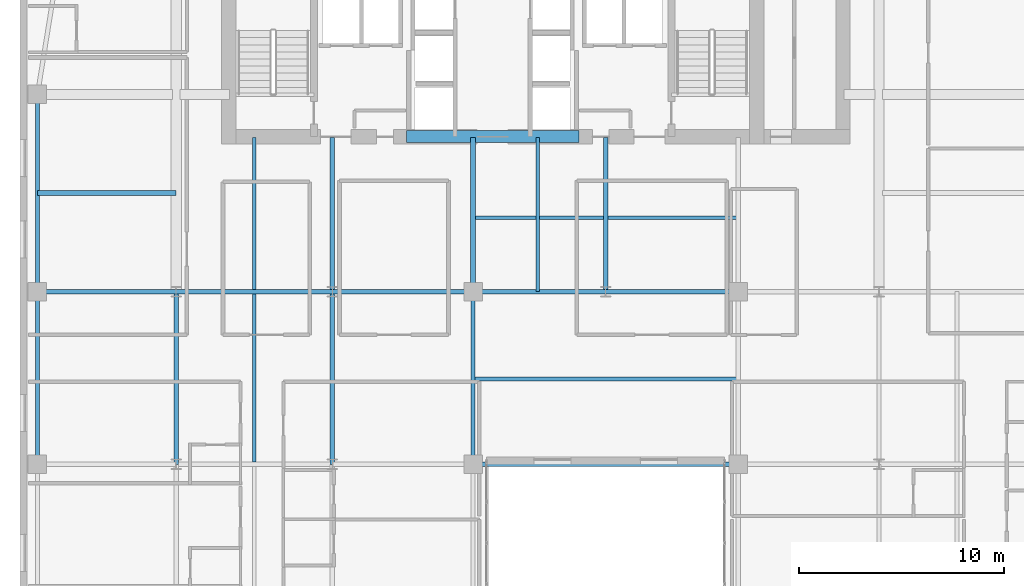
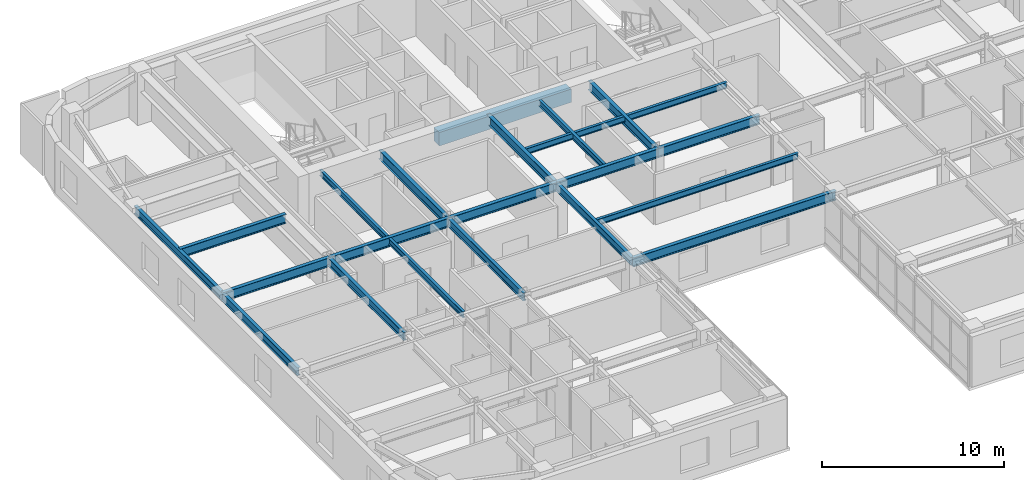
# One storey, part 4 of 17: 21 beams.
"""IFC4 building model written with IfcOpenShell, lengths in metres."""

from ifc_helpers import new_model, si_unit, direction, frame, origin, origin_2d, place, context, subcontext, project, spatial, rectangle, i_section, extrude, source, transform, mapped, material, material_profile, profile_set, type_object, type_shapes, element, save


model = new_model("IFC4")

# Units and contexts
model_context = context("Model", 3, precision=1e-05, world=origin(), true_north=direction((0.0, 1.0)))
body_context = subcontext(model_context, "Body", "Model", "MODEL_VIEW")
ifc_project = project(units=[si_unit("LENGTHUNIT", "METRE"), si_unit("AREAUNIT", "SQUARE_METRE"), si_unit("VOLUMEUNIT", "CUBIC_METRE"), si_unit("PLANEANGLEUNIT", "RADIAN"), si_unit("MASSUNIT", "GRAM", prefix="KILO")], contexts=[model_context])

# Site, building, storey
site_placement = place(None, origin())
site = spatial("IfcSite", under=ifc_project, at=site_placement, CompositionType="ELEMENT")
building_placement = place(site_placement, origin())
building = spatial("IfcBuilding", under=site, at=building_placement, Name="Tolvann Quenvar Hotel", CompositionType="ELEMENT")
storey_placement = place(building_placement, frame((0.0, 0.0, 136.39990234375)))
storey = spatial("IfcBuildingStorey", under=building, at=storey_placement, Name="L35", CompositionType="ELEMENT", Elevation=136.39990234375)

# Beams
ifc_material_1 = material(Name="Concrete N50 (50 MPa)", Category="concrete")
ifc_material_profile_1 = material_profile(ifc_material_1, rectangle(XDim=0.60009765625, YDim=0.89990234375, at=origin_2d()), Name="RC600x900")
ifc_profile_set_1 = profile_set([ifc_material_profile_1], Name="Concrete N50 (50 MPa)")
beam_type_1 = type_object("IfcBeamType", Name="BM_LINT_RC600x900", PredefinedType="LINTEL", material=ifc_profile_set_1)
shared_shape_1 = source(origin(), body_context, "Body", "SweptSolid", [
    extrude(rectangle(XDim=0.60009765625, YDim=0.89990234375, at=origin_2d()), origin(), (0.0, 0.0, 1.0), 8.39990234375),
])
type_shapes(beam_type_1, [shared_shape_1])
beam_1_placement = place(storey_placement, frame((18.800048828125, 31.949951171875, 2.920166015625), z_axis=(1.0, 0.0, 0.0), x_axis=(0.0, 1.0, 0.0)))
element("IfcBeam", 1, at=beam_1_placement, inside=storey, type_object=beam_type_1, Name="Core Coupling Lintel Beam (L35)", PredefinedType="LINTEL", context=body_context, shape_type="MappedRepresentation", body=[
    mapped(shared_shape_1, transform((0.0, 0.0, 0.0), x_axis=(1.0, 0.0, 0.0), y_axis=(0.0, 1.0, 0.0), z_axis=(0.0, 0.0, 1.0), scale=1.0)),
])
ifc_material_2 = material(Name="Steel Grade 350", Category="steel")
ifc_material_profile_2 = material_profile(ifc_material_2, i_section(OverallWidth=0.22900390625, OverallDepth=0.612060546875, WebThickness=0.011962890625, FlangeThickness=0.01953125, FilletRadius=0.013916015625, at=origin_2d()), Name="610UB125")
ifc_profile_set_2 = profile_set([ifc_material_profile_2], Name="Steel Grade 350")
beam_type_2 = type_object("IfcBeamType", Name="BM_GIRD_610UB125", PredefinedType="BEAM", material=ifc_profile_set_2)
shared_shape_2 = source(origin(), body_context, "Body", "SweptSolid", [
    extrude(i_section(OverallWidth=0.22900390625, OverallDepth=0.612060546875, WebThickness=0.011962890625, FlangeThickness=0.01953125, FilletRadius=0.013916015625, at=origin_2d()), origin(), (0.0, 0.0, 1.0), 6.75),
])
for number, where, z_axis, x_axis, name in (
    (2, (0.85009765625, 24.39990234375, 3.064208984375), (1.0, 0.0, 0.0), (0.0, 1.0, 0.0), "BM-L35-EW-5-B5-C5"),
    (3, (0.85009765625, 29.199951171875, 3.064208984375), (1.0, 0.0, 0.0), (0.0, 1.0, 0.0), "BM-L35-EW-BC29"),
):
    element("IfcBeam", number, at=place(storey_placement, frame(where, z_axis=z_axis, x_axis=x_axis)), inside=storey, type_object=beam_type_2, Name=name, PredefinedType="BEAM", context=body_context, shape_type="MappedRepresentation", body=[
        mapped(shared_shape_2, transform((0.0, 0.0, 0.0), x_axis=(1.0, 0.0, 0.0), y_axis=(0.0, 1.0, 0.0), z_axis=(0.0, 0.0, 1.0), scale=1.0)),
    ])
shared_shape_3 = source(origin(), body_context, "Body", "SweptSolid", [
    extrude(i_section(OverallWidth=0.22900390625, OverallDepth=0.612060546875, WebThickness=0.011962890625, FlangeThickness=0.01953125, FilletRadius=0.013916015625, at=origin_2d()), origin(), (0.0, 0.0, 1.0), 7.599853515625),
])
beam_2_placement = place(storey_placement, frame((7.60009765625, 24.39990234375, 3.064208984375), z_axis=(1.0, 0.0, 0.0), x_axis=(0.0, 1.0, 0.0)))
element("IfcBeam", 4, at=beam_2_placement, inside=storey, type_object=beam_type_2, Name="BM-L35-EW-5-C5-D5", PredefinedType="BEAM", context=body_context, shape_type="MappedRepresentation", body=[
    mapped(shared_shape_3, transform((0.0, 0.0, 0.0), x_axis=(1.0, 0.0, 0.0), y_axis=(0.0, 1.0, 0.0), z_axis=(0.0, 0.0, 1.0), scale=1.0)),
])
shared_shape_4 = source(origin(), body_context, "Body", "SweptSolid", [
    extrude(i_section(OverallWidth=0.22900390625, OverallDepth=0.612060546875, WebThickness=0.011962890625, FlangeThickness=0.01953125, FilletRadius=0.013916015625, at=origin_2d()), origin(), (0.0, 0.0, 1.0), 6.85009765625),
])
beam_3_placement = place(storey_placement, frame((15.199951171875, 24.39990234375, 3.064208984375), z_axis=(1.0, 0.0, 0.0), x_axis=(0.0, 1.0, 0.0)))
element("IfcBeam", 5, at=beam_3_placement, inside=storey, type_object=beam_type_2, Name="BM-L35-EW-5-D5-E5", PredefinedType="BEAM", context=body_context, shape_type="MappedRepresentation", body=[
    mapped(shared_shape_4, transform((0.0, 0.0, 0.0), x_axis=(1.0, 0.0, 0.0), y_axis=(0.0, 1.0, 0.0), z_axis=(0.0, 0.0, 1.0), scale=1.0)),
])
shared_shape_5 = source(origin(), body_context, "Body", "SweptSolid", [
    extrude(i_section(OverallWidth=0.22900390625, OverallDepth=0.612060546875, WebThickness=0.011962890625, FlangeThickness=0.01953125, FilletRadius=0.013916015625, at=origin_2d()), origin(), (0.0, 0.0, 1.0), 12.89990234375),
])
beam_4_placement = place(storey_placement, frame((22.050048828125, 16.0, 3.064208984375), z_axis=(1.0, 0.0, 0.0), x_axis=(0.0, 1.0, 0.0)))
element("IfcBeam", 6, at=beam_4_placement, inside=storey, type_object=beam_type_2, Name="BM-L35-EW-4-E4-F4", PredefinedType="BEAM", context=body_context, shape_type="MappedRepresentation", body=[
    mapped(shared_shape_5, transform((0.0, 0.0, 0.0), x_axis=(1.0, 0.0, 0.0), y_axis=(0.0, 1.0, 0.0), z_axis=(0.0, 0.0, 1.0), scale=1.0)),
])
shared_shape_6 = source(origin(), body_context, "Body", "SweptSolid", [
    extrude(i_section(OverallWidth=0.22900390625, OverallDepth=0.612060546875, WebThickness=0.011962890625, FlangeThickness=0.01953125, FilletRadius=0.013916015625, at=origin_2d()), origin(), (0.0, 0.0, 1.0), 6.449951171875),
])
for number, where, z_axis, x_axis, name in (
    (7, (22.050048828125, 24.39990234375, 3.064208984375), (1.0, 0.0, 0.0), (0.0, 1.0, 0.0), "BM-L35-EW-5-E5-M5"),
    (8, (28.5, 24.39990234375, 3.064208984375), (1.0, 0.0, 0.0), (0.0, 1.0, 0.0), "BM-L35-EW-5-M5-F5"),
):
    element("IfcBeam", number, at=place(storey_placement, frame(where, z_axis=z_axis, x_axis=x_axis)), inside=storey, type_object=beam_type_2, Name=name, PredefinedType="BEAM", context=body_context, shape_type="MappedRepresentation", body=[
        mapped(shared_shape_6, transform((0.0, 0.0, 0.0), x_axis=(1.0, 0.0, 0.0), y_axis=(0.0, 1.0, 0.0), z_axis=(0.0, 0.0, 1.0), scale=1.0)),
    ])
ifc_material_profile_3 = material_profile(ifc_material_2, i_section(OverallWidth=0.208984375, OverallDepth=0.528076171875, WebThickness=0.009521484375, FlangeThickness=0.01318359375, FilletRadius=0.013916015625, at=origin_2d()), Name="530UB82")
ifc_profile_set_3 = profile_set([ifc_material_profile_3], Name="Steel Grade 350")
beam_type_3 = type_object("IfcBeamType", Name="BM_SPAND_530UB82", PredefinedType="SPANDREL", material=ifc_profile_set_3)
shared_shape_7 = source(origin(), body_context, "Body", "SweptSolid", [
    extrude(i_section(OverallWidth=0.208984375, OverallDepth=0.528076171875, WebThickness=0.009521484375, FlangeThickness=0.01318359375, FilletRadius=0.013916015625, at=origin_2d()), origin(), (0.0, 0.0, 1.0), 8.39990234375),
])
beam_5_placement = place(storey_placement, frame((0.85009765625, 16.0, 3.106201171875), z_axis=(0.0, 1.0, 0.0), x_axis=(-1.0, 0.0, 0.0)))
element("IfcBeam", 9, at=beam_5_placement, inside=storey, type_object=beam_type_3, Name="BM-L35-NS-B4-B5", PredefinedType="SPANDREL", context=body_context, shape_type="MappedRepresentation", body=[
    mapped(shared_shape_7, transform((0.0, 0.0, 0.0), x_axis=(1.0, 0.0, 0.0), y_axis=(0.0, 1.0, 0.0), z_axis=(0.0, 0.0, 1.0), scale=1.0)),
])
ifc_material_profile_4 = material_profile(ifc_material_2, i_section(OverallWidth=0.208984375, OverallDepth=0.532958984375, WebThickness=0.01025390625, FlangeThickness=0.015625, FilletRadius=0.013916015625, at=origin_2d()), Name="530UB92")
ifc_profile_set_4 = profile_set([ifc_material_profile_4], Name="Steel Grade 350")
beam_type_4 = type_object("IfcBeamType", Name="BM_GIRD_530UB92", PredefinedType="BEAM", material=ifc_profile_set_4)
shared_shape_8 = source(origin(), body_context, "Body", "SweptSolid", [
    extrude(i_section(OverallWidth=0.208984375, OverallDepth=0.532958984375, WebThickness=0.01025390625, FlangeThickness=0.015625, FilletRadius=0.013916015625, at=origin_2d()), origin(), (0.0, 0.0, 1.0), 8.39990234375),
])
type_shapes(beam_type_4, [shared_shape_8])
for number, where, z_axis, x_axis, name in (
    (10, (7.60009765625, 16.0, 3.103515625), (0.0, 1.0, 0.0), (-1.0, 0.0, 0.0), "BM-L35-NS-C4-C5"),
    (11, (15.199951171875, 16.0, 3.103515625), (0.0, 1.0, 0.0), (-1.0, 0.0, 0.0), "BM-L35-NS-D4-D5"),
    (12, (22.050048828125, 16.0, 3.103515625), (0.0, 1.0, 0.0), (-1.0, 0.0, 0.0), "BM-L35-NS-E4-E5"),
):
    element("IfcBeam", number, at=place(storey_placement, frame(where, z_axis=z_axis, x_axis=x_axis)), inside=storey, type_object=beam_type_4, Name=name, PredefinedType="BEAM", context=body_context, shape_type="MappedRepresentation", body=[
        mapped(shared_shape_8, transform((0.0, 0.0, 0.0), x_axis=(1.0, 0.0, 0.0), y_axis=(0.0, 1.0, 0.0), z_axis=(0.0, 0.0, 1.0), scale=1.0)),
    ])
shared_shape_9 = source(origin(), body_context, "Body", "SweptSolid", [
    extrude(i_section(OverallWidth=0.22900390625, OverallDepth=0.612060546875, WebThickness=0.011962890625, FlangeThickness=0.01953125, FilletRadius=0.013916015625, at=origin_2d()), origin(), (0.0, 0.0, 1.0), 7.5),
])
type_shapes(beam_type_2, [shared_shape_2, shared_shape_3, shared_shape_4, shared_shape_5, shared_shape_6, shared_shape_9])
for number, where, z_axis, x_axis, name in (
    (13, (15.199951171875, 24.39990234375, 3.064208984375), (0.0, 1.0, 0.0), (-1.0, 0.0, 0.0), "BM-L35-CORE-D5"),
    (14, (22.050048828125, 24.39990234375, 3.064208984375), (0.0, 1.0, 0.0), (-1.0, 0.0, 0.0), "BM-L35-CORE-E5"),
    (15, (28.5, 24.39990234375, 3.064208984375), (0.0, 1.0, 0.0), (-1.0, 0.0, 0.0), "BM-L35-CORE-M5"),
):
    element("IfcBeam", number, at=place(storey_placement, frame(where, z_axis=z_axis, x_axis=x_axis)), inside=storey, type_object=beam_type_2, Name=name, PredefinedType="BEAM", context=body_context, shape_type="MappedRepresentation", body=[
        mapped(shared_shape_9, transform((0.0, 0.0, 0.0), x_axis=(1.0, 0.0, 0.0), y_axis=(0.0, 1.0, 0.0), z_axis=(0.0, 0.0, 1.0), scale=1.0)),
    ])
shared_shape_10 = source(origin(), body_context, "Body", "SweptSolid", [
    extrude(i_section(OverallWidth=0.208984375, OverallDepth=0.528076171875, WebThickness=0.009521484375, FlangeThickness=0.01318359375, FilletRadius=0.013916015625, at=origin_2d()), origin(), (0.0, 0.0, 1.0), 9.60009765625),
])
type_shapes(beam_type_3, [shared_shape_7, shared_shape_10])
beam_6_placement = place(storey_placement, frame((0.85009765625, 24.39990234375, 3.106201171875), z_axis=(0.0, 1.0, 0.0), x_axis=(-1.0, 0.0, 0.0)))
element("IfcBeam", 16, at=beam_6_placement, inside=storey, type_object=beam_type_3, Name="BM-L35-FLK-W1", PredefinedType="SPANDREL", context=body_context, shape_type="MappedRepresentation", body=[
    mapped(shared_shape_10, transform((0.0, 0.0, 0.0), x_axis=(1.0, 0.0, 0.0), y_axis=(0.0, 1.0, 0.0), z_axis=(0.0, 0.0, 1.0), scale=1.0)),
])
ifc_material_profile_5 = material_profile(ifc_material_2, i_section(OverallWidth=0.177978515625, OverallDepth=0.406005859375, WebThickness=0.0078125, FlangeThickness=0.0126953125, FilletRadius=0.011474609375, at=origin_2d()), Name="410UB60")
ifc_profile_set_5 = profile_set([ifc_material_profile_5], Name="Steel Grade 350")
beam_type_5 = type_object("IfcBeamType", Name="BM_JOIST_410UB60", PredefinedType="JOIST", material=ifc_profile_set_5)
shared_shape_11 = source(origin(), body_context, "Body", "SweptSolid", [
    extrude(i_section(OverallWidth=0.177978515625, OverallDepth=0.406005859375, WebThickness=0.0078125, FlangeThickness=0.0126953125, FilletRadius=0.011474609375, at=origin_2d()), origin(), (0.0, 0.0, 1.0), 12.89990234375),
])
for number, where, z_axis, x_axis, name in (
    (17, (22.050048828125, 20.14990234375, 3.1669921875), (1.0, 0.0, 0.0), (0.0, 1.0, 0.0), "BM-L35-SPINE-20"),
    (18, (22.050048828125, 28.0, 3.1669921875), (1.0, 0.0, 0.0), (0.0, 1.0, 0.0), "BM-L35-SPINE-28"),
):
    element("IfcBeam", number, at=place(storey_placement, frame(where, z_axis=z_axis, x_axis=x_axis)), inside=storey, type_object=beam_type_5, Name=name, PredefinedType="JOIST", context=body_context, shape_type="MappedRepresentation", body=[
        mapped(shared_shape_11, transform((0.0, 0.0, 0.0), x_axis=(1.0, 0.0, 0.0), y_axis=(0.0, 1.0, 0.0), z_axis=(0.0, 0.0, 1.0), scale=1.0)),
    ])
shared_shape_12 = source(origin(), body_context, "Body", "SweptSolid", [
    extrude(i_section(OverallWidth=0.177978515625, OverallDepth=0.406005859375, WebThickness=0.0078125, FlangeThickness=0.0126953125, FilletRadius=0.011474609375, at=origin_2d()), origin(), (0.0, 0.0, 1.0), 8.18310546875),
])
beam_7_placement = place(storey_placement, frame((11.39990234375, 16.1083984375, 3.1669921875), z_axis=(0.0, 1.0, 0.0), x_axis=(-1.0, 0.0, 0.0)))
element("IfcBeam", 19, at=beam_7_placement, inside=storey, type_object=beam_type_5, Name="BJ-L35-114-160", PredefinedType="JOIST", context=body_context, shape_type="MappedRepresentation", body=[
    mapped(shared_shape_12, transform((0.0, 0.0, 0.0), x_axis=(1.0, 0.0, 0.0), y_axis=(0.0, 1.0, 0.0), z_axis=(0.0, 0.0, 1.0), scale=1.0)),
])
shared_shape_13 = source(origin(), body_context, "Body", "SweptSolid", [
    extrude(i_section(OverallWidth=0.177978515625, OverallDepth=0.406005859375, WebThickness=0.0078125, FlangeThickness=0.0126953125, FilletRadius=0.011474609375, at=origin_2d()), origin(), (0.0, 0.0, 1.0), 7.391357421875),
])
beam_8_placement = place(storey_placement, frame((11.39990234375, 24.508544921875, 3.1669921875), z_axis=(0.0, 1.0, 0.0), x_axis=(-1.0, 0.0, 0.0)))
element("IfcBeam", 20, at=beam_8_placement, inside=storey, type_object=beam_type_5, Name="BJ-L35-114-244", PredefinedType="JOIST", context=body_context, shape_type="MappedRepresentation", body=[
    mapped(shared_shape_13, transform((0.0, 0.0, 0.0), x_axis=(1.0, 0.0, 0.0), y_axis=(0.0, 1.0, 0.0), z_axis=(0.0, 0.0, 1.0), scale=1.0)),
])
shared_shape_14 = source(origin(), body_context, "Body", "SweptSolid", [
    extrude(i_section(OverallWidth=0.177978515625, OverallDepth=0.406005859375, WebThickness=0.0078125, FlangeThickness=0.0126953125, FilletRadius=0.011474609375, at=origin_2d()), origin(), (0.0, 0.0, 1.0), 7.5),
])
type_shapes(beam_type_5, [shared_shape_11, shared_shape_12, shared_shape_13, shared_shape_14])
beam_9_placement = place(storey_placement, frame((25.199951171875, 24.39990234375, 3.1669921875), z_axis=(0.0, 1.0, 0.0), x_axis=(-1.0, 0.0, 0.0)))
element("IfcBeam", 21, at=beam_9_placement, inside=storey, type_object=beam_type_5, Name="BJ-L35-252-244", PredefinedType="JOIST", context=body_context, shape_type="MappedRepresentation", body=[
    mapped(shared_shape_14, transform((0.0, 0.0, 0.0), x_axis=(1.0, 0.0, 0.0), y_axis=(0.0, 1.0, 0.0), z_axis=(0.0, 0.0, 1.0), scale=1.0)),
])

save(model, "model.ifc")
